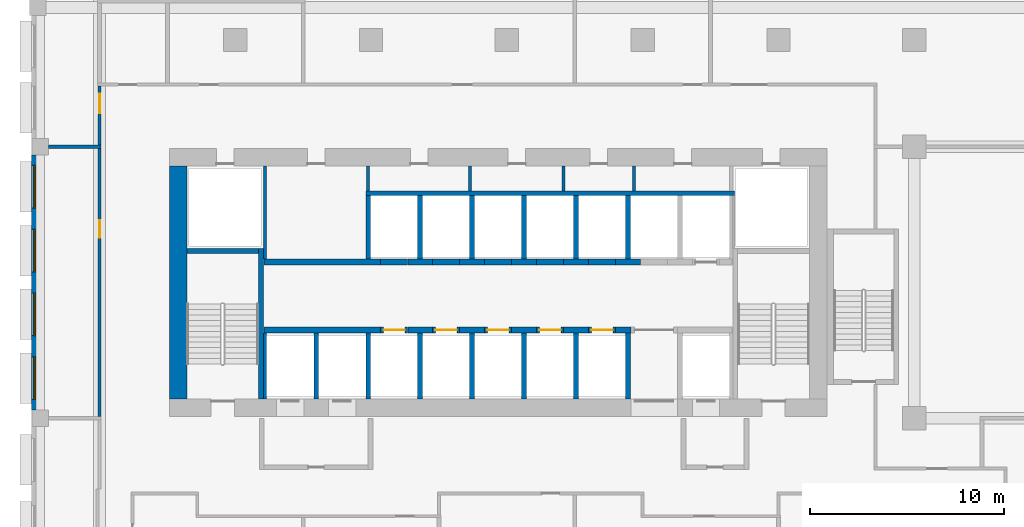
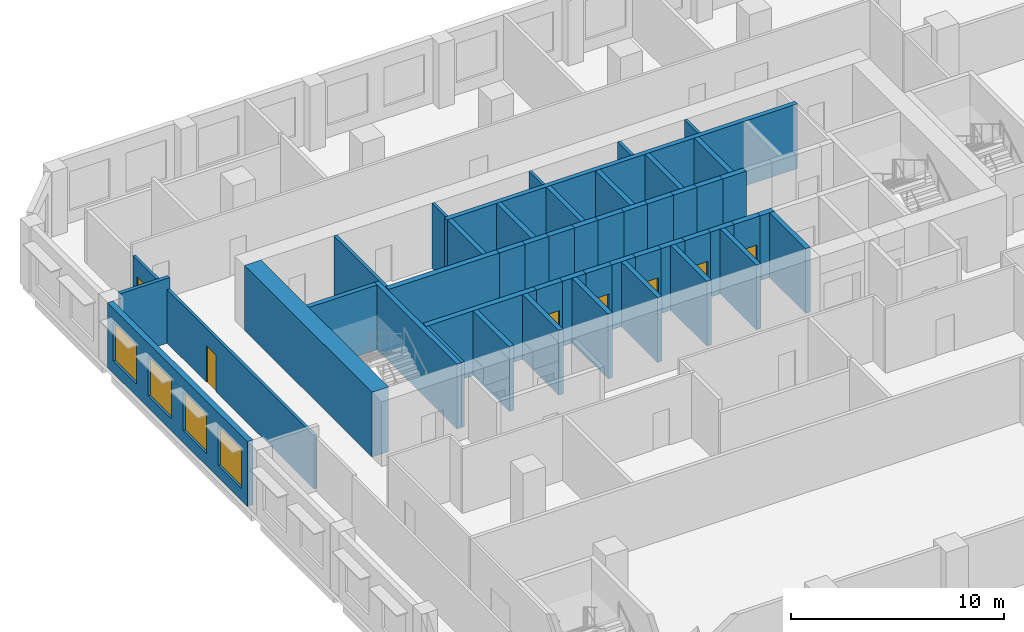
# One storey, part 13 of 25: 49 walls, 7 doors, 4 windows, 11 openings.
"""IFC4 building model written with IfcOpenShell, lengths in metres."""

from ifc_helpers import new_model, si_unit, direction, frame, frame_2d, origin, place, context, subcontext, project, spatial, rectangle, extrude, source, transform, mapped, material, layer, layer_set, type_object, element, fill, save


model = new_model("IFC4")

# Units and contexts
model_context = context("Model", 3, precision=1e-05, world=origin(), true_north=direction((0.0, 1.0)))
body_context = subcontext(model_context, "Body", "Model", "MODEL_VIEW")
ifc_project = project(units=[si_unit("LENGTHUNIT", "METRE"), si_unit("AREAUNIT", "SQUARE_METRE"), si_unit("VOLUMEUNIT", "CUBIC_METRE"), si_unit("PLANEANGLEUNIT", "RADIAN"), si_unit("MASSUNIT", "GRAM", prefix="KILO")], contexts=[model_context])

# Site, building, storey
site_placement = place(None, origin())
site = spatial("IfcSite", under=ifc_project, at=site_placement, CompositionType="ELEMENT")
building_placement = place(site_placement, origin())
building = spatial("IfcBuilding", under=site, at=building_placement, Name="Kilnfold Tower and Market Hall", CompositionType="ELEMENT")
storey_placement = place(building_placement, frame((0.0, 0.0, 120.60009765625)))
storey = spatial("IfcBuildingStorey", under=building, at=storey_placement, Name="L28", CompositionType="ELEMENT", Elevation=120.60009765625)

# Wall, opening, door
ifc_material_1 = material(Name="Gypsum board on steel studs", Category="steel")
ifc_layer_1 = layer(ifc_material_1, 0.14990234375)
ifc_layer_set_1 = layer_set([ifc_layer_1], Name="Gypsum board on steel studs")
wall_type_1 = type_object("IfcWallType", Name="WALL CORRIDOR 150", PredefinedType="PARTITIONING", material=ifc_layer_set_1)
wall_1_placement = place(storey_placement, frame((-19.5, 22.090087890625, 0.0), z_axis=(0.0, 0.0, 1.0), x_axis=(0.0, 1.0, 0.0)))
wall_1 = element("IfcWall", 1, at=wall_1_placement, inside=storey, type_object=wall_type_1, Name="Partition LY17.36", PredefinedType="PARTITIONING", context=body_context, shape_type="SweptSolid", body=[
    extrude(rectangle(XDim=3.034912109375, YDim=0.14990234375, at=frame_2d((1.517578125, 0.0))), origin(), (0.0, 0.0, 1.0), 3.06982421875),
])
opening_1_placement = place(wall_1_placement, frame((1.631103515625, 0.0, 0.0)))
opening_1 = element("IfcOpeningElement", 2, at=opening_1_placement, cuts=wall_1, Name="Opening D1", PredefinedType="OPENING", context=body_context, shape_type="SweptSolid", body=[
    extrude(rectangle(XDim=1.0, YDim=2.10009765625, at=frame_2d((0.5, 1.050048828125))), frame((0.0, 0.0849609375, 0.0), z_axis=(0.0, -1.0, 0.0), x_axis=(1.0, 0.0, 0.0)), (0.0, 0.0, 1.0), 0.169921875),
])
ifc_material_2 = material(Name="Timber veneer door leaf in steel frame", Category="steel")
door_type_1 = type_object("IfcDoorType", Name="DOOR ENTRY 1000 X2100", OperationType="NOTDEFINED", PredefinedType="DOOR", material=ifc_material_2)
door_1_placement = place(opening_1_placement, origin())
door_1 = element("IfcDoor", 3, at=door_1_placement, inside=storey, type_object=door_type_1, Name="Door D1", OperationType="SINGLE_SWING_LEFT", OverallHeight=2.10009765625, OverallWidth=1.0, PredefinedType="DOOR", context=body_context, shape_type="SweptSolid", body=[
    extrude(rectangle(XDim=1.0, YDim=2.10009765625, at=frame_2d((0.5, 1.050048828125))), frame((0.0, 0.02490234375, 0.0), z_axis=(0.0, -1.0, 0.0), x_axis=(1.0, 0.0, 0.0)), (0.0, 0.0, 1.0), 0.050048828125),
])
fill(opening_1, door_1)

wall_2_placement = place(storey_placement, frame((-19.5, 8.090087890625, 0.0), z_axis=(0.0, 0.0, 1.0), x_axis=(0.0, 1.0, 0.0)))
wall_2 = element("IfcWall", 4, at=wall_2_placement, inside=storey, type_object=wall_type_1, Name="Partition LY17.37", PredefinedType="PARTITIONING", context=body_context, shape_type="SweptSolid", body=[
    extrude(rectangle(XDim=13.81982421875, YDim=0.14990234375, at=frame_2d((6.909912109375, 0.0))), origin(), (0.0, 0.0, 1.0), 3.06982421875),
])
opening_2_placement = place(wall_2_placement, frame((9.214111328125, 0.0, 0.0)))
opening_2 = element("IfcOpeningElement", 5, at=opening_2_placement, cuts=wall_2, Name="Opening D2", PredefinedType="OPENING", context=body_context, shape_type="SweptSolid", body=[
    extrude(rectangle(XDim=0.89990234375, YDim=2.10009765625, at=frame_2d((0.449951171875, 1.050048828125))), frame((0.0, 0.0849609375, 0.0), z_axis=(0.0, -1.0, 0.0), x_axis=(1.0, 0.0, 0.0)), (0.0, 0.0, 1.0), 0.169921875),
])
ifc_material_3 = material(Name="Timber veneer door leaf in steel frame", Category="steel")
door_type_2 = type_object("IfcDoorType", Name="DOOR ROOM 900 X2100", OperationType="NOTDEFINED", PredefinedType="DOOR", material=ifc_material_3)
door_2_placement = place(opening_2_placement, origin())
door_2 = element("IfcDoor", 6, at=door_2_placement, inside=storey, type_object=door_type_2, Name="Door D2", OperationType="SINGLE_SWING_RIGHT", OverallHeight=2.10009765625, OverallWidth=0.89990234375, PredefinedType="DOOR", context=body_context, shape_type="SweptSolid", body=[
    extrude(rectangle(XDim=0.89990234375, YDim=2.10009765625, at=frame_2d((0.449951171875, 1.050048828125))), frame((0.0, 0.02490234375, 0.0), z_axis=(0.0, -1.0, 0.0), x_axis=(1.0, 0.0, 0.0)), (0.0, 0.0, 1.0), 0.050048828125),
])
fill(opening_2, door_2)

# Walls
ifc_material_4 = material(Name="Gypsum board on steel studs", Category="steel")
ifc_layer_2 = layer(ifc_material_4, 0.199951171875)
ifc_layer_set_2 = layer_set([ifc_layer_2], Name="Gypsum board on steel studs")
wall_type_2 = type_object("IfcWallType", Name="WALL PARTY 200", PredefinedType="PARTITIONING", material=ifc_layer_set_2)
wall_3_placement = place(storey_placement, frame((-22.125, 22.0, 0.0), z_axis=(0.0, 0.0, 1.0), x_axis=(1.0, 0.0, 0.0)))
element("IfcWall", 7, at=wall_3_placement, inside=storey, type_object=wall_type_2, Name="Partition LY17.75", PredefinedType="PARTITIONING", context=body_context, shape_type="SweptSolid", body=[
    extrude(rectangle(XDim=2.698974609375, YDim=0.199951171875, at=frame_2d((1.349609375, 0.0))), origin(), (0.0, 0.0, 1.0), 3.719970703125),
])
ifc_material_5 = material(Name="Concrete C70", Category="concrete")
ifc_layer_3 = layer(ifc_material_5, 0.25)
ifc_layer_set_3 = layer_set([ifc_layer_3], Name="Concrete C70")
wall_type_3 = type_object("IfcWallType", Name="CORE WALL 250 C70", PredefinedType="SHEAR", material=ifc_layer_set_3)
shared_shape_1 = source(origin(), body_context, "Body", "SweptSolid", [
    extrude(rectangle(XDim=7.75, YDim=0.25, at=frame_2d((3.875, 0.0))), origin(), (0.0, 0.0, 1.0), 3.719970703125),
])
wall_4_placement = place(storey_placement, frame((-11.175048828125, 9.0, 0.0), z_axis=(0.0, 0.0, 1.0), x_axis=(0.0, 1.0, 0.0)))
element("IfcWall", 8, at=wall_4_placement, inside=storey, type_object=wall_type_3, Name="Stair enclosure ST1", PredefinedType="SHEAR", context=body_context, shape_type="MappedRepresentation", body=[
    mapped(shared_shape_1, transform((0.0, 0.0, 0.0))),
])
shared_shape_2 = source(origin(), body_context, "Body", "SweptSolid", [
    extrude(rectangle(XDim=3.699951171875, YDim=0.25, at=frame_2d((1.85009765625, 0.0))), origin(), (0.0, 0.0, 1.0), 3.719970703125),
])
wall_5_placement = place(storey_placement, frame((-15.0, 16.625, 0.0), z_axis=(0.0, 0.0, 1.0), x_axis=(1.0, 0.0, 0.0)))
element("IfcWall", 9, at=wall_5_placement, inside=storey, type_object=wall_type_3, Name="Stair enclosure ST1", PredefinedType="SHEAR", context=body_context, shape_type="MappedRepresentation", body=[
    mapped(shared_shape_2, transform((0.0, 0.0, 0.0))),
])
ifc_material_6 = material(Name="Concrete C70", Category="concrete")
ifc_layer_4 = layer(ifc_material_6, 0.300048828125)
ifc_layer_set_4 = layer_set([ifc_layer_4], Name="Concrete C70")
wall_type_4 = type_object("IfcWallType", Name="CORE WALL 300 C70", PredefinedType="SHEAR", material=ifc_layer_set_4)
shared_shape_3 = source(origin(), body_context, "Body", "SweptSolid", [
    extrude(rectangle(XDim=6.0, YDim=0.300048828125, at=frame_2d((3.0, 0.0))), origin(), (0.0, 0.0, 1.0), 3.719970703125),
])
for number, where, z_axis, x_axis, name in (
    (10, (-11.010009765625, 12.550048828125, 0.0), (0.0, 0.0, 1.0), (1.0, 0.0, 0.0), "Core spine wall"),
    (11, (-11.010009765625, 16.050048828125, 0.0), (0.0, 0.0, 1.0), (1.0, 0.0, 0.0), "Core spine wall"),
):
    element("IfcWall", number, at=place(storey_placement, frame(where, z_axis=z_axis, x_axis=x_axis)), inside=storey, type_object=wall_type_4, Name=name, PredefinedType="SHEAR", context=body_context, shape_type="MappedRepresentation", body=[
        mapped(shared_shape_3, transform((0.0, 0.0, 0.0))),
    ])
shared_shape_4 = source(origin(), body_context, "Body", "SweptSolid", [
    extrude(rectangle(XDim=1.280029296875, YDim=0.300048828125, at=frame_2d((0.64013671875, 0.0))), origin(), (0.0, 0.0, 1.0), 3.719970703125),
])
for number, where, z_axis, x_axis, name in (
    (12, (-3.610107421875, 12.550048828125, 0.0), (0.0, 0.0, 1.0), (1.0, 0.0, 0.0), "Core spine wall"),
    (13, (-0.929931640625, 12.550048828125, 0.0), (0.0, 0.0, 1.0), (1.0, 0.0, 0.0), "Core spine wall"),
    (14, (1.75, 12.550048828125, 0.0), (0.0, 0.0, 1.0), (1.0, 0.0, 0.0), "Core spine wall"),
    (15, (4.429931640625, 12.550048828125, 0.0), (0.0, 0.0, 1.0), (1.0, 0.0, 0.0), "Core spine wall"),
    (16, (-3.610107421875, 16.050048828125, 0.0), (0.0, 0.0, 1.0), (1.0, 0.0, 0.0), "Core spine wall"),
    (17, (-0.929931640625, 16.050048828125, 0.0), (0.0, 0.0, 1.0), (1.0, 0.0, 0.0), "Core spine wall"),
    (18, (1.75, 16.050048828125, 0.0), (0.0, 0.0, 1.0), (1.0, 0.0, 0.0), "Core spine wall"),
    (19, (4.429931640625, 16.050048828125, 0.0), (0.0, 0.0, 1.0), (1.0, 0.0, 0.0), "Core spine wall"),
):
    element("IfcWall", number, at=place(storey_placement, frame(where, z_axis=z_axis, x_axis=x_axis)), inside=storey, type_object=wall_type_4, Name=name, PredefinedType="SHEAR", context=body_context, shape_type="MappedRepresentation", body=[
        mapped(shared_shape_4, transform((0.0, 0.0, 0.0))),
    ])
shared_shape_5 = source(origin(), body_context, "Body", "SweptSolid", [
    extrude(rectangle(XDim=0.77978515625, YDim=0.300048828125, at=frame_2d((0.389892578125, 0.0))), origin(), (0.0, 0.0, 1.0), 3.719970703125),
])
wall_6_placement = place(storey_placement, frame((7.110107421875, 12.550048828125, 0.0), z_axis=(0.0, 0.0, 1.0), x_axis=(1.0, 0.0, 0.0)))
element("IfcWall", 20, at=wall_6_placement, inside=storey, type_object=wall_type_4, Name="Core spine wall", PredefinedType="SHEAR", context=body_context, shape_type="MappedRepresentation", body=[
    mapped(shared_shape_5, transform((0.0, 0.0, 0.0))),
])
shared_shape_6 = source(origin(), body_context, "Body", "SweptSolid", [
    extrude(rectangle(XDim=1.27978515625, YDim=0.300048828125, at=frame_2d((0.639892578125, 0.0))), origin(), (0.0, 0.0, 1.0), 3.719970703125),
])
wall_7_placement = place(storey_placement, frame((7.110107421875, 16.050048828125, 0.0), z_axis=(0.0, 0.0, 1.0), x_axis=(1.0, 0.0, 0.0)))
element("IfcWall", 21, at=wall_7_placement, inside=storey, type_object=wall_type_4, Name="Core spine wall", PredefinedType="SHEAR", context=body_context, shape_type="MappedRepresentation", body=[
    mapped(shared_shape_6, transform((0.0, 0.0, 0.0))),
])
ifc_material_7 = material(Name="Concrete C70", Category="concrete")
ifc_layer_5 = layer(ifc_material_7, 0.89990234375)
ifc_layer_set_5 = layer_set([ifc_layer_5], Name="Concrete C70")
wall_type_5 = type_object("IfcWallType", Name="CORE WALL 900 C70", PredefinedType="SHEAR", material=ifc_layer_set_5)
shared_shape_7 = source(origin(), body_context, "Body", "SweptSolid", [
    extrude(rectangle(XDim=12.0, YDim=0.89990234375, at=frame_2d((6.0, 0.0))), origin(), (0.0, 0.0, 1.0), 3.719970703125),
])
wall_8_placement = place(storey_placement, frame((-15.449951171875, 9.0, 0.0), z_axis=(0.0, 0.0, 1.0), x_axis=(0.0, 1.0, 0.0)))
element("IfcWall", 22, at=wall_8_placement, inside=storey, type_object=wall_type_5, Name="Core outer wall west", PredefinedType="SHEAR", context=body_context, shape_type="MappedRepresentation", body=[
    mapped(shared_shape_7, transform((0.0, 0.0, 0.0))),
])

# Wall, openings, windows
ifc_material_8 = material(Name="Precast concrete C50/60", Category="concrete")
ifc_layer_6 = layer(ifc_material_8, 0.300048828125)
ifc_layer_set_6 = layer_set([ifc_layer_6], Name="Precast concrete C50/60")
wall_type_6 = type_object("IfcWallType", Name="PRECAST WALL 300", PredefinedType="SOLIDWALL", material=ifc_layer_set_6)
shared_shape_8 = source(origin(), body_context, "Body", "SweptSolid", [
    extrude(rectangle(XDim=13.14990234375, YDim=0.300048828125, at=frame_2d((6.574951171875, 0.0))), origin(), (0.0, 0.0, 1.0), 3.719970703125),
])
wall_9_placement = place(storey_placement, frame((-22.85009765625, 21.574951171875, 0.0), z_axis=(0.0, 0.0, 1.0), x_axis=(0.0, -1.0, 0.0)))
wall_9 = element("IfcWall", 23, at=wall_9_placement, inside=storey, type_object=wall_type_6, Name="External wall L28 W", PredefinedType="SOLIDWALL", context=body_context, shape_type="MappedRepresentation", body=[
    mapped(shared_shape_8, transform((0.0, 0.0, 0.0))),
])
opening_3_placement = place(wall_9_placement, frame((0.543701171875, 0.0, 0.699951171875)))
opening_3 = element("IfcOpeningElement", 24, at=opening_3_placement, cuts=wall_9, Name="Opening W1", PredefinedType="OPENING", context=body_context, shape_type="SweptSolid", body=[
    extrude(rectangle(XDim=2.199951171875, YDim=2.25, at=frame_2d((1.10009765625, 1.125))), frame((0.0, 0.16015625, 0.0), z_axis=(0.0, -1.0, 0.0), x_axis=(1.0, 0.0, 0.0)), (0.0, 0.0, 1.0), 0.320068359375),
])
opening_4_placement = place(wall_9_placement, frame((3.831298828125, 0.0, 0.699951171875)))
opening_4 = element("IfcOpeningElement", 25, at=opening_4_placement, cuts=wall_9, Name="Opening W1", PredefinedType="OPENING", context=body_context, shape_type="SweptSolid", body=[
    extrude(rectangle(XDim=2.199951171875, YDim=2.25, at=frame_2d((1.10009765625, 1.125))), frame((0.0, 0.16015625, 0.0), z_axis=(0.0, -1.0, 0.0), x_axis=(1.0, 0.0, 0.0)), (0.0, 0.0, 1.0), 0.320068359375),
])
opening_5_placement = place(wall_9_placement, frame((7.118896484375, 0.0, 0.699951171875)))
opening_5 = element("IfcOpeningElement", 26, at=opening_5_placement, cuts=wall_9, Name="Opening W1", PredefinedType="OPENING", context=body_context, shape_type="SweptSolid", body=[
    extrude(rectangle(XDim=2.199951171875, YDim=2.25, at=frame_2d((1.10009765625, 1.125))), frame((0.0, 0.16015625, 0.0), z_axis=(0.0, -1.0, 0.0), x_axis=(1.0, 0.0, 0.0)), (0.0, 0.0, 1.0), 0.320068359375),
])
opening_6_placement = place(wall_9_placement, frame((10.40625, 0.0, 0.699951171875)))
opening_6 = element("IfcOpeningElement", 27, at=opening_6_placement, cuts=wall_9, Name="Opening W1", PredefinedType="OPENING", context=body_context, shape_type="SweptSolid", body=[
    extrude(rectangle(XDim=2.199951171875, YDim=2.25, at=frame_2d((1.10009765625, 1.125))), frame((0.0, 0.16015625, 0.0), z_axis=(0.0, -1.0, 0.0), x_axis=(1.0, 0.0, 0.0)), (0.0, 0.0, 1.0), 0.320068359375),
])
ifc_material_9 = material(Name="Aluminium frame and double glazing", Category="aluminium")
window_type = type_object("IfcWindowType", Name="WINDOW W1 2200X2250", PartitioningType="SINGLE_PANEL", PredefinedType="WINDOW", material=ifc_material_9)
window_1_placement = place(opening_3_placement, origin())
window_1 = element("IfcWindow", 28, at=window_1_placement, inside=storey, type_object=window_type, Name="Window W1 L28 W-1", OverallHeight=2.25, OverallWidth=2.199951171875, PartitioningType="SINGLE_PANEL", PredefinedType="WINDOW", context=body_context, shape_type="SweptSolid", body=[
    extrude(rectangle(XDim=2.199951171875, YDim=2.25, at=frame_2d((1.10009765625, 1.125))), frame((0.0, 0.030029296875, 0.0), z_axis=(0.0, -1.0, 0.0), x_axis=(1.0, 0.0, 0.0)), (0.0, 0.0, 1.0), 0.06005859375),
])
fill(opening_3, window_1)
window_2_placement = place(opening_4_placement, origin())
window_2 = element("IfcWindow", 29, at=window_2_placement, inside=storey, type_object=window_type, Name="Window W1 L28 W-2", OverallHeight=2.25, OverallWidth=2.199951171875, PartitioningType="SINGLE_PANEL", PredefinedType="WINDOW", context=body_context, shape_type="SweptSolid", body=[
    extrude(rectangle(XDim=2.199951171875, YDim=2.25, at=frame_2d((1.10009765625, 1.125))), frame((0.0, 0.030029296875, 0.0), z_axis=(0.0, -1.0, 0.0), x_axis=(1.0, 0.0, 0.0)), (0.0, 0.0, 1.0), 0.06005859375),
])
fill(opening_4, window_2)
window_3_placement = place(opening_5_placement, origin())
window_3 = element("IfcWindow", 30, at=window_3_placement, inside=storey, type_object=window_type, Name="Window W1 L28 W-3", OverallHeight=2.25, OverallWidth=2.199951171875, PartitioningType="SINGLE_PANEL", PredefinedType="WINDOW", context=body_context, shape_type="SweptSolid", body=[
    extrude(rectangle(XDim=2.199951171875, YDim=2.25, at=frame_2d((1.10009765625, 1.125))), frame((0.0, 0.030029296875, 0.0), z_axis=(0.0, -1.0, 0.0), x_axis=(1.0, 0.0, 0.0)), (0.0, 0.0, 1.0), 0.06005859375),
])
fill(opening_5, window_3)
window_4_placement = place(opening_6_placement, origin())
window_4 = element("IfcWindow", 31, at=window_4_placement, inside=storey, type_object=window_type, Name="Window W1 L28 W-4", OverallHeight=2.25, OverallWidth=2.199951171875, PartitioningType="SINGLE_PANEL", PredefinedType="WINDOW", context=body_context, shape_type="SweptSolid", body=[
    extrude(rectangle(XDim=2.199951171875, YDim=2.25, at=frame_2d((1.10009765625, 1.125))), frame((0.0, 0.030029296875, 0.0), z_axis=(0.0, -1.0, 0.0), x_axis=(1.0, 0.0, 0.0)), (0.0, 0.0, 1.0), 0.06005859375),
])
fill(opening_6, window_4)

# Wall, opening, door
ifc_material_10 = material(Name="Gypsum shaft wall system")
ifc_layer_7 = layer(ifc_material_10, 0.300048828125)
ifc_layer_set_7 = layer_set([ifc_layer_7], Name="Gypsum shaft wall system")
wall_type_7 = type_object("IfcWallType", Name="SHAFT WALL 300", PredefinedType="PARTITIONING", material=ifc_layer_set_7)
shared_shape_9 = source(origin(), body_context, "Body", "SweptSolid", [
    extrude(rectangle(XDim=1.39990234375, YDim=0.300048828125, at=frame_2d((0.699951171875, 0.0))), origin(), (0.0, 0.0, 1.0), 3.719970703125),
])
wall_10_placement = place(storey_placement, frame((-5.010009765625, 12.550048828125, 0.0), z_axis=(0.0, 0.0, 1.0), x_axis=(1.0, 0.0, 0.0)))
wall_10 = element("IfcWall", 32, at=wall_10_placement, inside=storey, type_object=wall_type_7, Name="Lift shaft front wall", PredefinedType="PARTITIONING", context=body_context, shape_type="MappedRepresentation", body=[
    mapped(shared_shape_9, transform((0.0, 0.0, 0.0))),
])
opening_7_placement = place(wall_10_placement, frame((0.14990234375, 0.0, 0.0)))
opening_7 = element("IfcOpeningElement", 33, at=opening_7_placement, cuts=wall_10, Name="Opening LD2", PredefinedType="OPENING", context=body_context, shape_type="SweptSolid", body=[
    extrude(rectangle(XDim=1.10009765625, YDim=2.10009765625, at=frame_2d((0.550048828125, 1.050048828125))), frame((0.0, 0.16015625, 0.0), z_axis=(0.0, -1.0, 0.0), x_axis=(1.0, 0.0, 0.0)), (0.0, 0.0, 1.0), 0.320068359375),
])
ifc_material_11 = material(Name="Steel door set with fire-resisting leaf", Category="steel")
door_type_3 = type_object("IfcDoorType", Name="LANDING DOOR 1100X2100", OperationType="NOTDEFINED", PredefinedType="DOOR", material=ifc_material_11)
door_3_placement = place(opening_7_placement, origin())
door_3 = element("IfcDoor", 34, at=door_3_placement, inside=storey, type_object=door_type_3, Name="Landing door LR1", OperationType="DOUBLE_DOOR_SLIDING", OverallHeight=2.10009765625, OverallWidth=1.10009765625, PredefinedType="DOOR", context=body_context, shape_type="SweptSolid", body=[
    extrude(rectangle(XDim=1.10009765625, YDim=2.10009765625, at=frame_2d((0.550048828125, 1.050048828125))), frame((0.0, 0.02490234375, 0.0), z_axis=(0.0, -1.0, 0.0), x_axis=(1.0, 0.0, 0.0)), (0.0, 0.0, 1.0), 0.050048828125),
])
fill(opening_7, door_3)

wall_11_placement = place(storey_placement, frame((0.35009765625, 12.550048828125, 0.0), z_axis=(0.0, 0.0, 1.0), x_axis=(1.0, 0.0, 0.0)))
wall_11 = element("IfcWall", 35, at=wall_11_placement, inside=storey, type_object=wall_type_7, Name="Lift shaft front wall", PredefinedType="PARTITIONING", context=body_context, shape_type="MappedRepresentation", body=[
    mapped(shared_shape_9, transform((0.0, 0.0, 0.0))),
])
opening_8_placement = place(wall_11_placement, frame((0.14990234375, 0.0, 0.0)))
opening_8 = element("IfcOpeningElement", 36, at=opening_8_placement, cuts=wall_11, Name="Opening LD2", PredefinedType="OPENING", context=body_context, shape_type="SweptSolid", body=[
    extrude(rectangle(XDim=1.10009765625, YDim=2.10009765625, at=frame_2d((0.550048828125, 1.050048828125))), frame((0.0, 0.16015625, 0.0), z_axis=(0.0, -1.0, 0.0), x_axis=(1.0, 0.0, 0.0)), (0.0, 0.0, 1.0), 0.320068359375),
])
door_4_placement = place(opening_8_placement, origin())
door_4 = element("IfcDoor", 37, at=door_4_placement, inside=storey, type_object=door_type_3, Name="Landing door LR3", OperationType="DOUBLE_DOOR_SLIDING", OverallHeight=2.10009765625, OverallWidth=1.10009765625, PredefinedType="DOOR", context=body_context, shape_type="SweptSolid", body=[
    extrude(rectangle(XDim=1.10009765625, YDim=2.10009765625, at=frame_2d((0.550048828125, 1.050048828125))), frame((0.0, 0.02490234375, 0.0), z_axis=(0.0, -1.0, 0.0), x_axis=(1.0, 0.0, 0.0)), (0.0, 0.0, 1.0), 0.050048828125),
])
fill(opening_8, door_4)

wall_12_placement = place(storey_placement, frame((3.030029296875, 12.550048828125, 0.0), z_axis=(0.0, 0.0, 1.0), x_axis=(1.0, 0.0, 0.0)))
wall_12 = element("IfcWall", 38, at=wall_12_placement, inside=storey, type_object=wall_type_7, Name="Lift shaft front wall", PredefinedType="PARTITIONING", context=body_context, shape_type="MappedRepresentation", body=[
    mapped(shared_shape_9, transform((0.0, 0.0, 0.0))),
])
opening_9_placement = place(wall_12_placement, frame((0.14990234375, 0.0, 0.0)))
opening_9 = element("IfcOpeningElement", 39, at=opening_9_placement, cuts=wall_12, Name="Opening LD2", PredefinedType="OPENING", context=body_context, shape_type="SweptSolid", body=[
    extrude(rectangle(XDim=1.10009765625, YDim=2.10009765625, at=frame_2d((0.550048828125, 1.050048828125))), frame((0.0, 0.16015625, 0.0), z_axis=(0.0, -1.0, 0.0), x_axis=(1.0, 0.0, 0.0)), (0.0, 0.0, 1.0), 0.320068359375),
])
door_5_placement = place(opening_9_placement, origin())
door_5 = element("IfcDoor", 40, at=door_5_placement, inside=storey, type_object=door_type_3, Name="Landing door LR4", OperationType="DOUBLE_DOOR_SLIDING", OverallHeight=2.10009765625, OverallWidth=1.10009765625, PredefinedType="DOOR", context=body_context, shape_type="SweptSolid", body=[
    extrude(rectangle(XDim=1.10009765625, YDim=2.10009765625, at=frame_2d((0.550048828125, 1.050048828125))), frame((0.0, 0.02490234375, 0.0), z_axis=(0.0, -1.0, 0.0), x_axis=(1.0, 0.0, 0.0)), (0.0, 0.0, 1.0), 0.050048828125),
])
fill(opening_9, door_5)

# Walls
for number, where, z_axis, x_axis, name in (
    (41, (-5.010009765625, 16.050048828125, 0.0), (0.0, 0.0, 1.0), (1.0, 0.0, 0.0), "Lift shaft front wall"),
    (42, (0.35009765625, 16.050048828125, 0.0), (0.0, 0.0, 1.0), (1.0, 0.0, 0.0), "Lift shaft front wall"),
    (43, (3.030029296875, 16.050048828125, 0.0), (0.0, 0.0, 1.0), (1.0, 0.0, 0.0), "Lift shaft front wall"),
):
    element("IfcWall", number, at=place(storey_placement, frame(where, z_axis=z_axis, x_axis=x_axis)), inside=storey, type_object=wall_type_7, Name=name, PredefinedType="PARTITIONING", context=body_context, shape_type="MappedRepresentation", body=[
        mapped(shared_shape_9, transform((0.0, 0.0, 0.0))),
    ])

# Wall, opening, door
shared_shape_10 = source(origin(), body_context, "Body", "SweptSolid", [
    extrude(rectangle(XDim=1.400146484375, YDim=0.300048828125, at=frame_2d((0.7001953125, 0.0))), origin(), (0.0, 0.0, 1.0), 3.719970703125),
])
wall_13_placement = place(storey_placement, frame((-2.330078125, 12.550048828125, 0.0), z_axis=(0.0, 0.0, 1.0), x_axis=(1.0, 0.0, 0.0)))
wall_13 = element("IfcWall", 44, at=wall_13_placement, inside=storey, type_object=wall_type_7, Name="Lift shaft front wall", PredefinedType="PARTITIONING", context=body_context, shape_type="MappedRepresentation", body=[
    mapped(shared_shape_10, transform((0.0, 0.0, 0.0))),
])
opening_10_placement = place(wall_13_placement, frame((0.14990234375, 0.0, 0.0)))
opening_10 = element("IfcOpeningElement", 45, at=opening_10_placement, cuts=wall_13, Name="Opening LD2", PredefinedType="OPENING", context=body_context, shape_type="SweptSolid", body=[
    extrude(rectangle(XDim=1.10009765625, YDim=2.10009765625, at=frame_2d((0.550048828125, 1.050048828125))), frame((0.0, 0.16015625, 0.0), z_axis=(0.0, -1.0, 0.0), x_axis=(1.0, 0.0, 0.0)), (0.0, 0.0, 1.0), 0.320068359375),
])
door_6_placement = place(opening_10_placement, origin())
door_6 = element("IfcDoor", 46, at=door_6_placement, inside=storey, type_object=door_type_3, Name="Landing door LR2", OperationType="DOUBLE_DOOR_SLIDING", OverallHeight=2.10009765625, OverallWidth=1.10009765625, PredefinedType="DOOR", context=body_context, shape_type="SweptSolid", body=[
    extrude(rectangle(XDim=1.10009765625, YDim=2.10009765625, at=frame_2d((0.550048828125, 1.050048828125))), frame((0.0, 0.02490234375, 0.0), z_axis=(0.0, -1.0, 0.0), x_axis=(1.0, 0.0, 0.0)), (0.0, 0.0, 1.0), 0.050048828125),
])
fill(opening_10, door_6)

wall_14_placement = place(storey_placement, frame((5.7099609375, 12.550048828125, 0.0), z_axis=(0.0, 0.0, 1.0), x_axis=(1.0, 0.0, 0.0)))
wall_14 = element("IfcWall", 47, at=wall_14_placement, inside=storey, type_object=wall_type_7, Name="Lift shaft front wall", PredefinedType="PARTITIONING", context=body_context, shape_type="MappedRepresentation", body=[
    mapped(shared_shape_10, transform((0.0, 0.0, 0.0))),
])
opening_11_placement = place(wall_14_placement, frame((0.14990234375, 0.0, 0.0)))
opening_11 = element("IfcOpeningElement", 48, at=opening_11_placement, cuts=wall_14, Name="Opening LD2", PredefinedType="OPENING", context=body_context, shape_type="SweptSolid", body=[
    extrude(rectangle(XDim=1.10009765625, YDim=2.10009765625, at=frame_2d((0.550048828125, 1.050048828125))), frame((0.0, 0.16015625, 0.0), z_axis=(0.0, -1.0, 0.0), x_axis=(1.0, 0.0, 0.0)), (0.0, 0.0, 1.0), 0.320068359375),
])
door_7_placement = place(opening_11_placement, origin())
door_7 = element("IfcDoor", 49, at=door_7_placement, inside=storey, type_object=door_type_3, Name="Landing door LR5", OperationType="DOUBLE_DOOR_SLIDING", OverallHeight=2.10009765625, OverallWidth=1.10009765625, PredefinedType="DOOR", context=body_context, shape_type="SweptSolid", body=[
    extrude(rectangle(XDim=1.10009765625, YDim=2.10009765625, at=frame_2d((0.550048828125, 1.050048828125))), frame((0.0, 0.02490234375, 0.0), z_axis=(0.0, -1.0, 0.0), x_axis=(1.0, 0.0, 0.0)), (0.0, 0.0, 1.0), 0.050048828125),
])
fill(opening_11, door_7)

# Walls
for number, where, z_axis, x_axis, name in (
    (50, (-2.330078125, 16.050048828125, 0.0), (0.0, 0.0, 1.0), (1.0, 0.0, 0.0), "Lift shaft front wall"),
    (51, (5.7099609375, 16.050048828125, 0.0), (0.0, 0.0, 1.0), (1.0, 0.0, 0.0), "Lift shaft front wall"),
):
    element("IfcWall", number, at=place(storey_placement, frame(where, z_axis=z_axis, x_axis=x_axis)), inside=storey, type_object=wall_type_7, Name=name, PredefinedType="PARTITIONING", context=body_context, shape_type="MappedRepresentation", body=[
        mapped(shared_shape_10, transform((0.0, 0.0, 0.0))),
    ])
ifc_material_12 = material(Name="Gypsum shaft wall system")
ifc_layer_8 = layer(ifc_material_12, 0.25)
ifc_layer_set_8 = layer_set([ifc_layer_8], Name="Gypsum shaft wall system")
wall_type_8 = type_object("IfcWallType", Name="SHAFT WALL 250", PredefinedType="PARTITIONING", material=ifc_layer_set_8)
shared_shape_11 = source(origin(), body_context, "Body", "SweptSolid", [
    extrude(rectangle(XDim=3.275146484375, YDim=0.25, at=frame_2d((1.6376953125, 0.0))), origin(), (0.0, 0.0, 1.0), 3.719970703125),
])
for number, where, z_axis, x_axis, name in (
    (52, (2.389892578125, 16.199951171875, 0.0), (0.0, 0.0, 1.0), (0.0, 1.0, 0.0), "Lift shaft wall"),
    (53, (5.070068359375, 16.199951171875, 0.0), (0.0, 0.0, 1.0), (0.0, 1.0, 0.0), "Lift shaft wall"),
    (54, (7.75, 16.199951171875, 0.0), (0.0, 0.0, 1.0), (0.0, 1.0, 0.0), "Lift shaft wall"),
    (55, (-0.2900390625, 16.199951171875, 0.0), (0.0, 0.0, 1.0), (0.0, 1.0, 0.0), "Lift shaft wall"),
    (56, (-2.969970703125, 16.199951171875, 0.0), (0.0, 0.0, 1.0), (0.0, 1.0, 0.0), "Lift shaft wall"),
    (57, (-5.64990234375, 16.199951171875, 0.0), (0.0, 0.0, 1.0), (0.0, 1.0, 0.0), "Lift shaft wall"),
):
    element("IfcWall", number, at=place(storey_placement, frame(where, z_axis=z_axis, x_axis=x_axis)), inside=storey, type_object=wall_type_8, Name=name, PredefinedType="PARTITIONING", context=body_context, shape_type="MappedRepresentation", body=[
        mapped(shared_shape_11, transform((0.0, 0.0, 0.0))),
    ])
shared_shape_12 = source(origin(), body_context, "Body", "SweptSolid", [
    extrude(rectangle(XDim=3.39990234375, YDim=0.25, at=frame_2d((1.699951171875, 0.0))), origin(), (0.0, 0.0, 1.0), 3.719970703125),
])
for number, where, z_axis, x_axis, name in (
    (58, (2.389892578125, 9.0, 0.0), (0.0, 0.0, 1.0), (0.0, 1.0, 0.0), "Lift shaft wall"),
    (59, (5.070068359375, 9.0, 0.0), (0.0, 0.0, 1.0), (0.0, 1.0, 0.0), "Lift shaft wall"),
    (60, (7.75, 9.0, 0.0), (0.0, 0.0, 1.0), (0.0, 1.0, 0.0), "Lift shaft wall"),
    (61, (-0.2900390625, 9.0, 0.0), (0.0, 0.0, 1.0), (0.0, 1.0, 0.0), "Lift shaft wall"),
    (62, (-2.969970703125, 9.0, 0.0), (0.0, 0.0, 1.0), (0.0, 1.0, 0.0), "Lift shaft wall"),
    (63, (-5.64990234375, 9.0, 0.0), (0.0, 0.0, 1.0), (0.0, 1.0, 0.0), "Lift shaft wall"),
    (64, (-8.330078125, 9.0, 0.0), (0.0, 0.0, 1.0), (0.0, 1.0, 0.0), "Lift shaft wall"),
):
    element("IfcWall", number, at=place(storey_placement, frame(where, z_axis=z_axis, x_axis=x_axis)), inside=storey, type_object=wall_type_8, Name=name, PredefinedType="PARTITIONING", context=body_context, shape_type="MappedRepresentation", body=[
        mapped(shared_shape_12, transform((0.0, 0.0, 0.0))),
    ])
ifc_material_13 = material(Name="Gypsum shaft wall system")
ifc_layer_9 = layer(ifc_material_13, 0.1650390625)
ifc_layer_set_9 = layer_set([ifc_layer_9], Name="Gypsum shaft wall system")
wall_type_9 = type_object("IfcWallType", Name="SHAFT WALL 165", PredefinedType="PARTITIONING", material=ifc_layer_set_9)
shared_shape_13 = source(origin(), body_context, "Body", "SweptSolid", [
    extrude(rectangle(XDim=3.39990234375, YDim=0.1650390625, at=frame_2d((1.699951171875, 0.0))), origin(), (0.0, 0.0, 1.0), 3.719970703125),
])
wall_15_placement = place(storey_placement, frame((-10.967529296875, 9.0, 0.0), z_axis=(0.0, 0.0, 1.0), x_axis=(0.0, 1.0, 0.0)))
element("IfcWall", 65, at=wall_15_placement, inside=storey, type_object=wall_type_9, Name="Lift shaft wall", PredefinedType="PARTITIONING", context=body_context, shape_type="MappedRepresentation", body=[
    mapped(shared_shape_13, transform((0.0, 0.0, 0.0))),
])
ifc_material_14 = material(Name="Gypsum shaft wall system")
ifc_layer_10 = layer(ifc_material_14, 0.14990234375)
ifc_layer_set_10 = layer_set([ifc_layer_10], Name="Gypsum shaft wall system")
wall_type_10 = type_object("IfcWallType", Name="ROOM WALL 150", PredefinedType="PARTITIONING", material=ifc_layer_set_10)
shared_shape_14 = source(origin(), body_context, "Body", "SweptSolid", [
    extrude(rectangle(XDim=1.27490234375, YDim=0.14990234375, at=frame_2d((0.637451171875, 0.0))), origin(), (0.0, 0.0, 1.0), 3.719970703125),
])
for number, where, z_axis, x_axis, name in (
    (66, (-5.64990234375, 19.72509765625, 0.0), (0.0, 0.0, 1.0), (0.0, 1.0, 0.0), "Core room wall"),
    (67, (-0.397216796875, 19.72509765625, 0.0), (0.0, 0.0, 1.0), (0.0, 1.0, 0.0), "Core room wall"),
    (68, (4.4267578125, 19.72509765625, 0.0), (0.0, 0.0, 1.0), (0.0, 1.0, 0.0), "Core room wall"),
    (69, (8.044921875, 19.72509765625, 0.0), (0.0, 0.0, 1.0), (0.0, 1.0, 0.0), "Core room wall"),
):
    element("IfcWall", number, at=place(storey_placement, frame(where, z_axis=z_axis, x_axis=x_axis)), inside=storey, type_object=wall_type_10, Name=name, PredefinedType="PARTITIONING", context=body_context, shape_type="MappedRepresentation", body=[
        mapped(shared_shape_14, transform((0.0, 0.0, 0.0))),
    ])
shared_shape_15 = source(origin(), body_context, "Body", "SweptSolid", [
    extrude(rectangle(XDim=19.010009765625, YDim=0.25, at=frame_2d((9.5048828125, 0.0))), origin(), (0.0, 0.0, 1.0), 3.719970703125),
])
wall_16_placement = place(storey_placement, frame((-5.77490234375, 19.60009765625, 0.0), z_axis=(0.0, 0.0, 1.0), x_axis=(1.0, 0.0, 0.0)))
element("IfcWall", 70, at=wall_16_placement, inside=storey, type_object=wall_type_8, Name="Lift shaft wall", PredefinedType="PARTITIONING", context=body_context, shape_type="MappedRepresentation", body=[
    mapped(shared_shape_15, transform((0.0, 0.0, 0.0))),
])
shared_shape_16 = source(origin(), body_context, "Body", "SweptSolid", [
    extrude(rectangle(XDim=4.800048828125, YDim=0.1650390625, at=frame_2d((2.39990234375, 0.0))), origin(), (0.0, 0.0, 1.0), 3.719970703125),
])
wall_17_placement = place(storey_placement, frame((-10.967529296875, 16.199951171875, 0.0), z_axis=(0.0, 0.0, 1.0), x_axis=(0.0, 1.0, 0.0)))
element("IfcWall", 71, at=wall_17_placement, inside=storey, type_object=wall_type_9, Name="Lift shaft wall", PredefinedType="PARTITIONING", context=body_context, shape_type="MappedRepresentation", body=[
    mapped(shared_shape_16, transform((0.0, 0.0, 0.0))),
])

save(model, "model.ifc")
